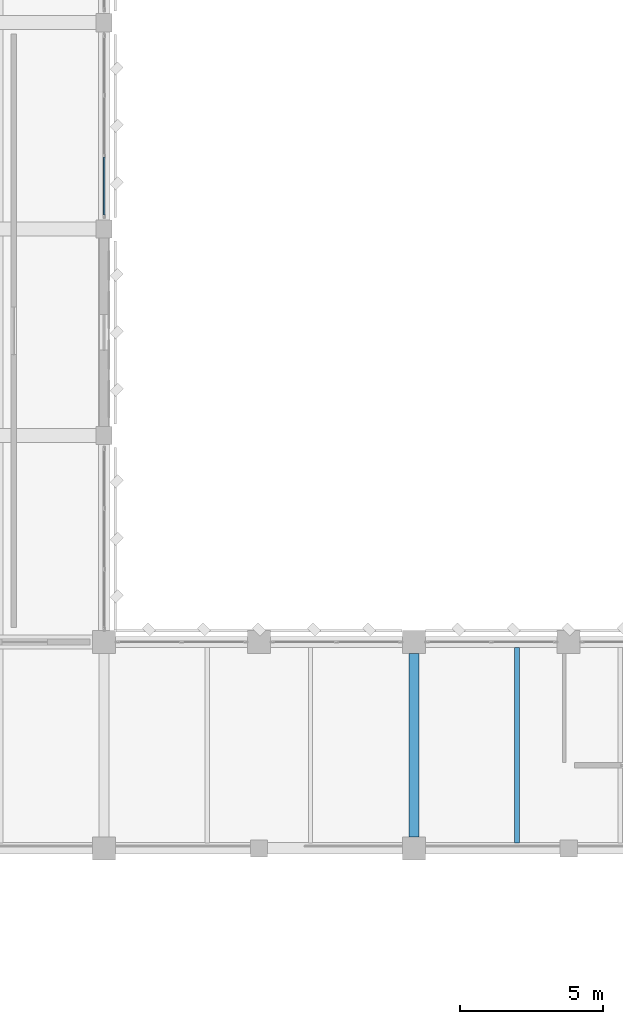
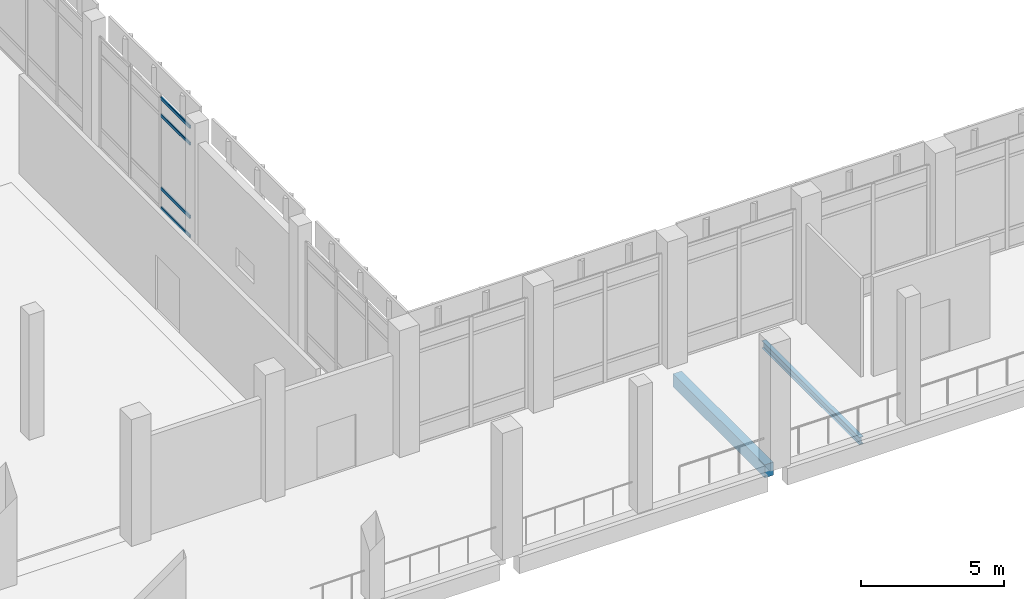
# One storey, part 27 of 180: 4 members, 2 beams, 1 element without a shape of its own.
"""IFC4 building model written with IfcOpenShell, lengths in metres."""

from ifc_helpers import new_model, si_unit, direction, frame, origin, origin_2d, place, context, subcontext, project, spatial, rectangle, hollow_rectangle, i_section, extrude, material, material_profile, profile_set, type_object, element, aggregate, save


model = new_model("IFC4")

# Units and contexts
model_context = context("Model", 3, precision=1e-05, world=origin(), true_north=direction((0.0, 1.0)))
body_context = subcontext(model_context, "Body", "Model", "MODEL_VIEW")
ifc_project = project(units=[si_unit("LENGTHUNIT", "METRE"), si_unit("AREAUNIT", "SQUARE_METRE"), si_unit("VOLUMEUNIT", "CUBIC_METRE"), si_unit("PLANEANGLEUNIT", "RADIAN"), si_unit("MASSUNIT", "GRAM", prefix="KILO")], contexts=[model_context])

# Site, building, storey
site_placement = place(None, origin())
site = spatial("IfcSite", under=ifc_project, at=site_placement, CompositionType="ELEMENT")
building_placement = place(site_placement, origin())
building = spatial("IfcBuilding", under=site, at=building_placement, Name="Lusvemor Sports Hall", CompositionType="ELEMENT")
storey_placement = place(building_placement, frame((0.0, 0.0, 5.39990234375)))
storey = spatial("IfcBuildingStorey", under=building, at=storey_placement, Name="L01", CompositionType="ELEMENT", Elevation=5.39990234375)

# Beam
ifc_material_1 = material(Name="Concrete C40/50", Category="concrete")
ifc_material_profile_1 = material_profile(ifc_material_1, rectangle(XDim=0.35009765625, YDim=0.550048828125, at=origin_2d()), Name="RC350x550")
ifc_profile_set_1 = profile_set([ifc_material_profile_1], Name="Concrete C40/50")
beam_type_1 = type_object("IfcBeamType", Name="BEAM_RC_550", PredefinedType="BEAM", material=ifc_profile_set_1)
beam_1_placement = place(storey_placement, frame((32.39990234375, 39.99609375, -0.554931640625), z_axis=(0.0, 1.0, 0.0), x_axis=(-1.0, 0.0, 0.0)))
element("IfcBeam", 1, at=beam_1_placement, inside=storey, type_object=beam_type_1, Name="Beam L01 4:E-F", PredefinedType="BEAM", context=body_context, shape_type="SweptSolid", body=[
    extrude(rectangle(XDim=0.35009765625, YDim=0.550048828125, at=origin_2d()), origin(), (0.0, 0.0, 1.0), 6.407958984375),
])

# Curtain wall, members
ifc_material_2 = material(Name="Thermally broken bronze-anodized aluminium", Category="aluminium")
curtain_wall_type = type_object("IfcCurtainWallType", Name="CW_WING_B", PredefinedType="NOTDEFINED", material=ifc_material_2)
curtain_wall_placement = place(storey_placement, origin())
curtain_wall = element("IfcCurtainWall", 2, at=curtain_wall_placement, inside=storey, type_object=curtain_wall_type, Name="Curtain Wall CW-L01-E-4-2", PredefinedType="NOTDEFINED")
ifc_material_3 = material(Name="Thermally broken bronze-anodized aluminium", Category="aluminium")
ifc_material_profile_2 = material_profile(ifc_material_3, hollow_rectangle(XDim=0.06005859375, YDim=0.135009765625, WallThickness=0.00390625, InnerFilletRadius=0.00390625, OuterFilletRadius=0.008056640625, at=origin_2d()), Name="CWTRN135x60x4")
ifc_profile_set_2 = profile_set([ifc_material_profile_2], Name="Thermally broken bronze-anodized aluminium")
member_type = type_object("IfcMemberType", Name="CW_TRN_B", PredefinedType="USERDEFINED", material=ifc_profile_set_2)
member_1_placement = place(storey_placement, frame((21.60009765625, 63.70751953125, 0.030029296875), z_axis=(0.0, -1.0, 0.0), x_axis=(1.0, 0.0, 0.0)))
member_1 = element("IfcMember", 3, at=member_1_placement, type_object=member_type, Name="CW02 transom 3.1", ObjectType="TRANSOM", PredefinedType="USERDEFINED", context=body_context, shape_type="SweptSolid", body=[
    extrude(hollow_rectangle(XDim=0.06005859375, YDim=0.135009765625, WallThickness=0.00390625, InnerFilletRadius=0.00390625, OuterFilletRadius=0.008056640625, at=origin_2d()), origin(), (0.0, 0.0, 1.0), 2.0224609375),
])
member_2_placement = place(storey_placement, frame((21.60009765625, 63.70751953125, 0.85009765625), z_axis=(0.0, -1.0, 0.0), x_axis=(1.0, 0.0, 0.0)))
member_2 = element("IfcMember", 4, at=member_2_placement, type_object=member_type, Name="CW02 transom 3.2", ObjectType="TRANSOM", PredefinedType="USERDEFINED", context=body_context, shape_type="SweptSolid", body=[
    extrude(hollow_rectangle(XDim=0.06005859375, YDim=0.135009765625, WallThickness=0.00390625, InnerFilletRadius=0.00390625, OuterFilletRadius=0.008056640625, at=origin_2d()), origin(), (0.0, 0.0, 1.0), 2.0224609375),
])
member_3_placement = place(storey_placement, frame((21.60009765625, 63.70751953125, 3.97021484375), z_axis=(0.0, -1.0, 0.0), x_axis=(1.0, 0.0, 0.0)))
member_3 = element("IfcMember", 5, at=member_3_placement, type_object=member_type, Name="CW02 transom 3.3", ObjectType="TRANSOM", PredefinedType="USERDEFINED", context=body_context, shape_type="SweptSolid", body=[
    extrude(hollow_rectangle(XDim=0.06005859375, YDim=0.135009765625, WallThickness=0.00390625, InnerFilletRadius=0.00390625, OuterFilletRadius=0.008056640625, at=origin_2d()), origin(), (0.0, 0.0, 1.0), 2.0224609375),
])
member_4_placement = place(storey_placement, frame((21.60009765625, 63.70751953125, 4.690185546875), z_axis=(0.0, -1.0, 0.0), x_axis=(1.0, 0.0, 0.0)))
member_4 = element("IfcMember", 6, at=member_4_placement, type_object=member_type, Name="CW02 transom 3.4", ObjectType="TRANSOM", PredefinedType="USERDEFINED", context=body_context, shape_type="SweptSolid", body=[
    extrude(hollow_rectangle(XDim=0.06005859375, YDim=0.135009765625, WallThickness=0.00390625, InnerFilletRadius=0.00390625, OuterFilletRadius=0.008056640625, at=origin_2d()), origin(), (0.0, 0.0, 1.0), 2.0224609375),
])
aggregate(curtain_wall, [member_1, member_2, member_3, member_4])

# Beam
ifc_material_4 = material(Name="Steel S355", Category="steel")
ifc_material_profile_3 = material_profile(ifc_material_4, i_section(OverallWidth=0.1669921875, OverallDepth=0.31689453125, WebThickness=0.007568359375, FlangeThickness=0.01318359375, FilletRadius=0.014892578125, at=origin_2d()), Name="W310x52.0")
ifc_profile_set_3 = profile_set([ifc_material_profile_3], Name="Steel S355")
beam_type_2 = type_object("IfcBeamType", Name="JOIST_ST_310M", PredefinedType="JOIST", material=ifc_profile_set_3)
beam_2_placement = place(storey_placement, frame((36.0, 39.7958984375, -0.4423828125), z_axis=(0.0, 1.0, 0.0), x_axis=(-1.0, 0.0, 0.0)))
element("IfcBeam", 7, at=beam_2_placement, inside=storey, type_object=beam_type_2, Name="Secondary Joist L01 4-5/E-F #1", PredefinedType="JOIST", context=body_context, shape_type="SweptSolid", body=[
    extrude(i_section(OverallWidth=0.1669921875, OverallDepth=0.31689453125, WebThickness=0.007568359375, FlangeThickness=0.01318359375, FilletRadius=0.014892578125, at=origin_2d()), origin(), (0.0, 0.0, 1.0), 6.80810546875),
])

save(model, "model.ifc")
